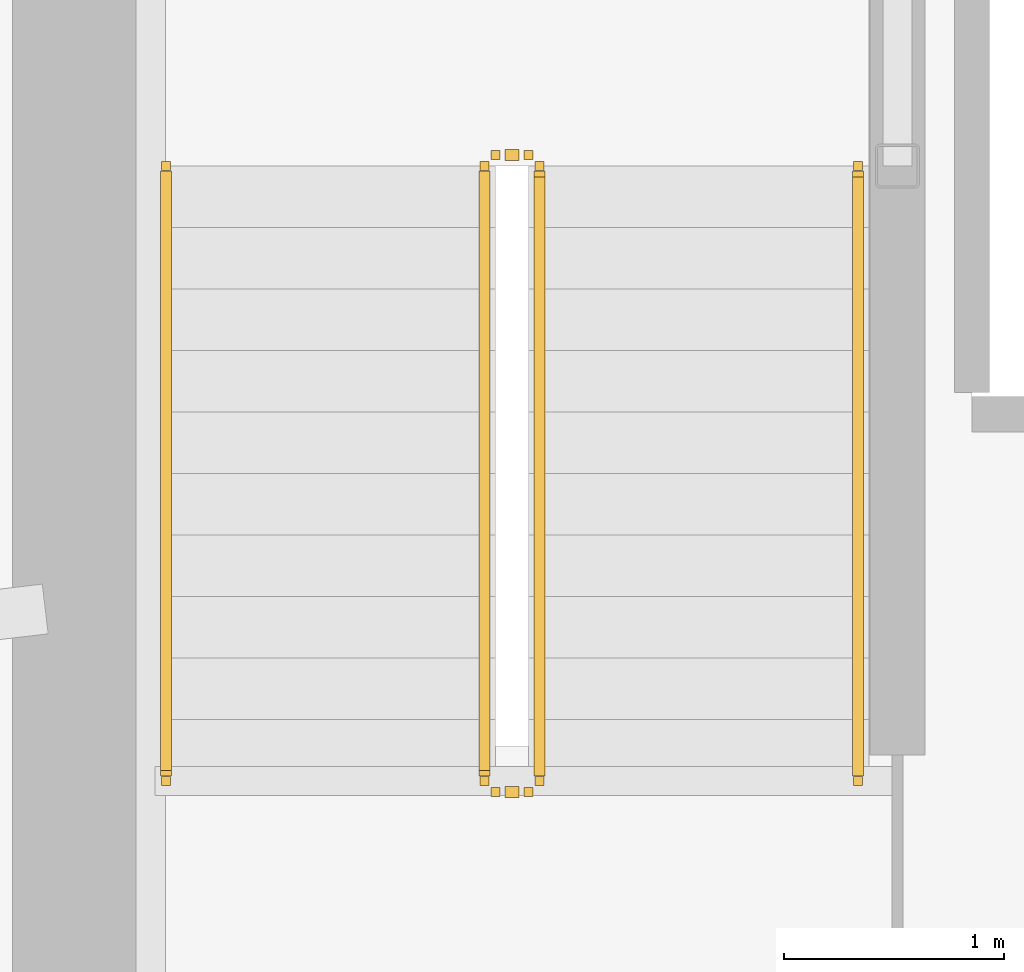
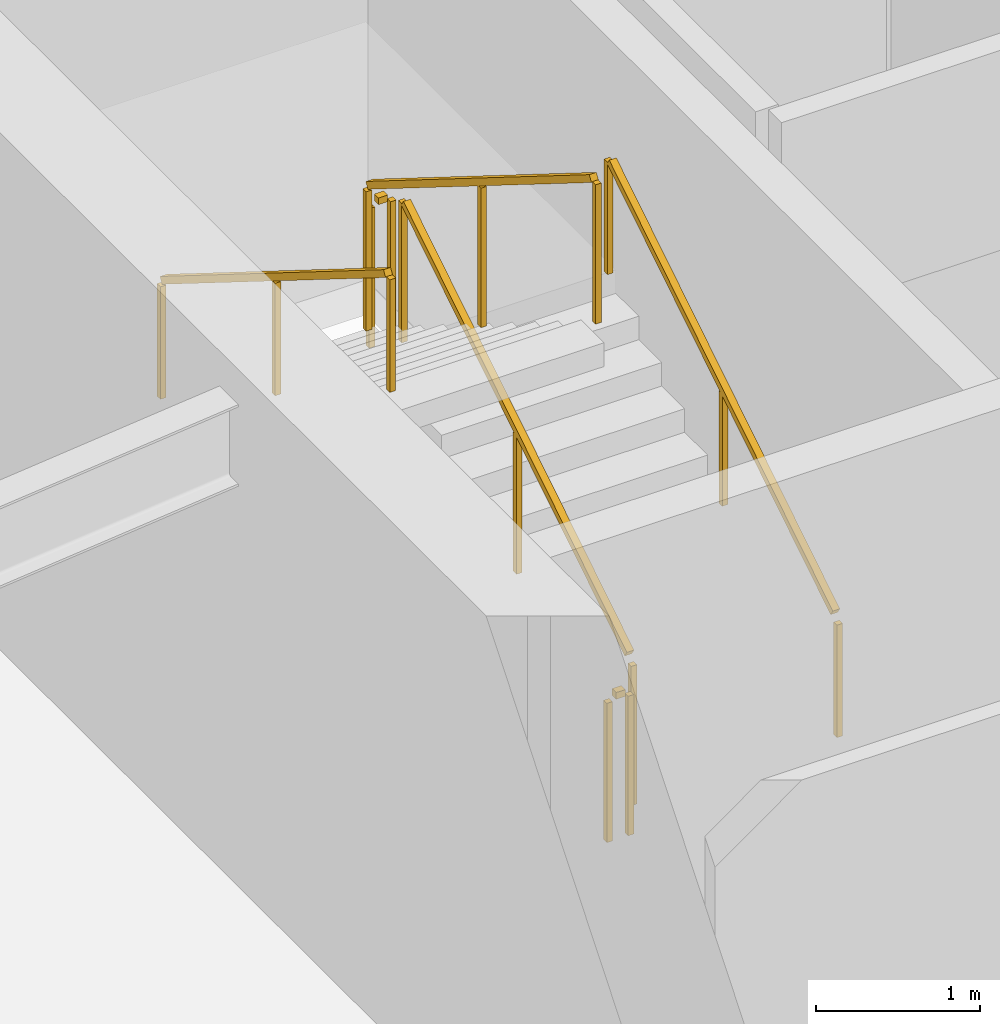
# One storey, part 26 of 31: 6 railings.
"""IFC4 building model written with IfcOpenShell, lengths in metres."""

from ifc_helpers import new_model, si_unit, direction, frame, origin, origin_2d, place, context, subcontext, project, spatial, rectangle, extrude, material, type_object, element, save


model = new_model("IFC4")

# Units and contexts
model_context = context("Model", 3, precision=1e-05, world=origin(), true_north=direction((0.0, 1.0)))
body_context = subcontext(model_context, "Body", "Model", "MODEL_VIEW")
ifc_project = project(units=[si_unit("LENGTHUNIT", "METRE"), si_unit("AREAUNIT", "SQUARE_METRE"), si_unit("VOLUMEUNIT", "CUBIC_METRE"), si_unit("PLANEANGLEUNIT", "RADIAN"), si_unit("MASSUNIT", "GRAM", prefix="KILO")], contexts=[model_context])

# Site, building, storey
site_placement = place(None, origin())
site = spatial("IfcSite", under=ifc_project, at=site_placement, CompositionType="ELEMENT")
building_placement = place(site_placement, origin())
building = spatial("IfcBuilding", under=site, at=building_placement, Name="Kazma Halo Residences", CompositionType="ELEMENT")
storey_placement = place(building_placement, frame((0.0, 0.0, 240.550048828125)))
storey = spatial("IfcBuildingStorey", under=building, at=storey_placement, Name="L60", CompositionType="ELEMENT", Elevation=240.550048828125)

# Railings
ifc_material_1 = material(Name="Painted Steel S355", Category="steel")
railing_type_1 = type_object("IfcRailingType", Name="RLG-STAIR-GRD-1100", PredefinedType="GUARDRAIL", material=ifc_material_1)
railing_1_placement = place(storey_placement, frame((39.550048828125, 39.949951171875, 0.175048828125)))
element("IfcRailing", 1, at=railing_1_placement, inside=storey, type_object=railing_type_1, Name="L60 ST-01 stair guard 1", PredefinedType="GUARDRAIL", context=body_context, shape_type="SweptSolid", body=[
    extrude(rectangle(XDim=0.050048828125, YDim=0.050048828125, at=origin_2d()), frame((0.0, 0.0361328125, 1.09765625), z_axis=(0.0, 0.848002457836, 0.529992293815), x_axis=(-1.0, 0.0, 0.0)), (0.0, 0.0, 1.0), 3.216796875),
    extrude(rectangle(XDim=0.0400390625, YDim=0.0400390625, at=origin_2d()), origin(), (0.0, 0.0, 1.0), 1.0380859375),
    extrude(rectangle(XDim=0.0400390625, YDim=0.0400390625, at=origin_2d()), frame((0.0, 1.39990234375, 0.875)), (0.0, 0.0, 1.0), 1.0380859375),
    extrude(rectangle(XDim=0.0400390625, YDim=0.0400390625, at=origin_2d()), frame((0.0, 2.800048828125, 1.75)), (0.0, 0.0, 1.0), 1.0380859375),
])
railing_2_placement = place(storey_placement, frame((39.5, 42.800048828125, 1.925048828125)))
element("IfcRailing", 2, at=railing_2_placement, inside=storey, type_object=railing_type_1, Name="L60 ST-01 stair guard 2", PredefinedType="GUARDRAIL", context=body_context, shape_type="SweptSolid", body=[
    extrude(rectangle(XDim=0.050048828125, YDim=0.050048828125, at=origin_2d()), frame((-0.04248046875, 0.0, 1.0751953125), z_axis=(-1.0, 0.0, 0.0), x_axis=(0.0, -1.0, 0.0)), (0.0, 0.0, 1.0), 0.06494140625),
    extrude(rectangle(XDim=0.0400390625, YDim=0.0400390625, at=origin_2d()), origin(), (0.0, 0.0, 1.0), 1.0380859375),
    extrude(rectangle(XDim=0.0400390625, YDim=0.0400390625, at=origin_2d()), frame((-0.14990234375, 0.0, 0.0)), (0.0, 0.0, 1.0), 1.0380859375),
])
railing_3_placement = place(storey_placement, frame((39.300048828125, 42.75, 2.099853515625)))
element("IfcRailing", 3, at=railing_3_placement, inside=storey, type_object=railing_type_1, Name="L60 ST-01 stair guard 3", PredefinedType="GUARDRAIL", context=body_context, shape_type="SweptSolid", body=[
    extrude(rectangle(XDim=0.050048828125, YDim=0.050048828125, at=origin_2d()), frame((0.0, -0.0361328125, 1.09765625), z_axis=(0.0, -0.848002457836, 0.529992293815), x_axis=(1.0, 0.0, 0.0)), (0.0, 0.0, 1.0), 3.216796875),
    extrude(rectangle(XDim=0.0400390625, YDim=0.0400390625, at=origin_2d()), origin(), (0.0, 0.0, 1.0), 1.0380859375),
    extrude(rectangle(XDim=0.0400390625, YDim=0.0400390625, at=origin_2d()), frame((0.0, -1.39990234375, 0.875)), (0.0, 0.0, 1.0), 1.0380859375),
    extrude(rectangle(XDim=0.0400390625, YDim=0.0400390625, at=origin_2d()), frame((0.0, -2.800048828125, 1.75)), (0.0, 0.0, 1.0), 1.0380859375),
])
railing_4_placement = place(storey_placement, frame((39.5, 39.89990234375, 0.0)))
element("IfcRailing", 4, at=railing_4_placement, inside=storey, type_object=railing_type_1, Name="L60 ST-01 stair guard 4", PredefinedType="GUARDRAIL", context=body_context, shape_type="SweptSolid", body=[
    extrude(rectangle(XDim=0.050048828125, YDim=0.050048828125, at=origin_2d()), frame((-0.04248046875, 0.0, 1.0751953125), z_axis=(-1.0, 0.0, 0.0), x_axis=(0.0, -1.0, 0.0)), (0.0, 0.0, 1.0), 0.06494140625),
    extrude(rectangle(XDim=0.0400390625, YDim=0.0400390625, at=origin_2d()), origin(), (0.0, 0.0, 1.0), 1.0380859375),
    extrude(rectangle(XDim=0.0400390625, YDim=0.0400390625, at=origin_2d()), frame((-0.14990234375, 0.0, 0.0)), (0.0, 0.0, 1.0), 1.0380859375),
])
ifc_material_2 = material(Name="Brushed Stainless Steel", Category="steel")
railing_type_2 = type_object("IfcRailingType", Name="RLG-STAIR-HND-900", PredefinedType="HANDRAIL", material=ifc_material_2)
railing_5_placement = place(storey_placement, frame((41.0, 39.949951171875, 0.175048828125)))
element("IfcRailing", 5, at=railing_5_placement, inside=storey, type_object=railing_type_2, Name="L60 ST-01 stair handrail 1", PredefinedType="HANDRAIL", context=body_context, shape_type="SweptSolid", body=[
    extrude(rectangle(XDim=0.050048828125, YDim=0.050048828125, at=origin_2d()), frame((0.0, 0.0361328125, 0.8974609375), z_axis=(0.0, 0.848002457836, 0.529992293815), x_axis=(-1.0, 0.0, 0.0)), (0.0, 0.0, 1.0), 3.216796875),
    extrude(rectangle(XDim=0.0400390625, YDim=0.0400390625, at=origin_2d()), origin(), (0.0, 0.0, 1.0), 0.837890625),
    extrude(rectangle(XDim=0.0400390625, YDim=0.0400390625, at=origin_2d()), frame((0.0, 1.39990234375, 0.875)), (0.0, 0.0, 1.0), 0.837890625),
    extrude(rectangle(XDim=0.0400390625, YDim=0.0400390625, at=origin_2d()), frame((0.0, 2.800048828125, 1.75)), (0.0, 0.0, 1.0), 0.837890625),
])
railing_6_placement = place(storey_placement, frame((37.85009765625, 42.75, 2.099853515625)))
element("IfcRailing", 6, at=railing_6_placement, inside=storey, type_object=railing_type_2, Name="L60 ST-01 stair handrail 2", PredefinedType="HANDRAIL", context=body_context, shape_type="SweptSolid", body=[
    extrude(rectangle(XDim=0.050048828125, YDim=0.050048828125, at=origin_2d()), frame((0.0, -0.0361328125, 0.8974609375), z_axis=(0.0, -0.848002457836, 0.529992293815), x_axis=(1.0, 0.0, 0.0)), (0.0, 0.0, 1.0), 3.216796875),
    extrude(rectangle(XDim=0.0400390625, YDim=0.0400390625, at=origin_2d()), origin(), (0.0, 0.0, 1.0), 0.837890625),
    extrude(rectangle(XDim=0.0400390625, YDim=0.0400390625, at=origin_2d()), frame((0.0, -1.39990234375, 0.875)), (0.0, 0.0, 1.0), 0.837890625),
    extrude(rectangle(XDim=0.0400390625, YDim=0.0400390625, at=origin_2d()), frame((0.0, -2.800048828125, 1.75)), (0.0, 0.0, 1.0), 0.837890625),
])

save(model, "model.ifc")
